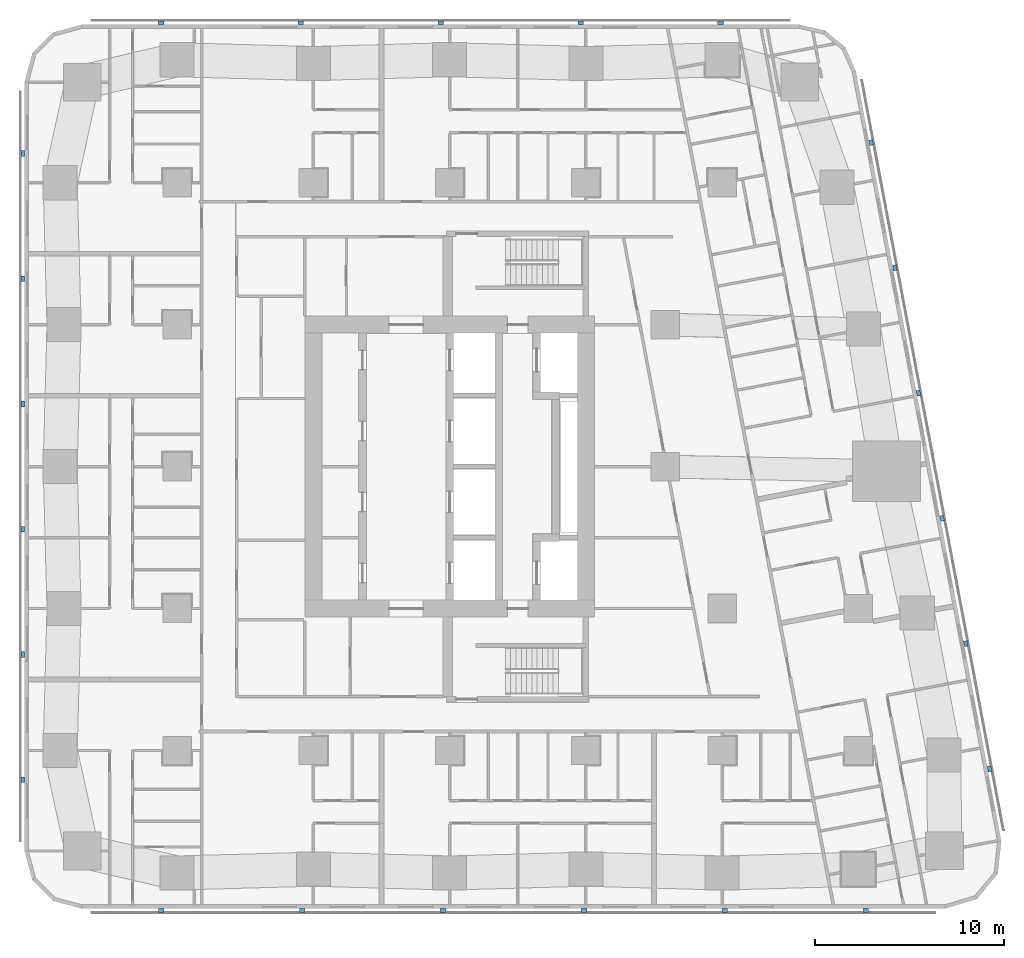
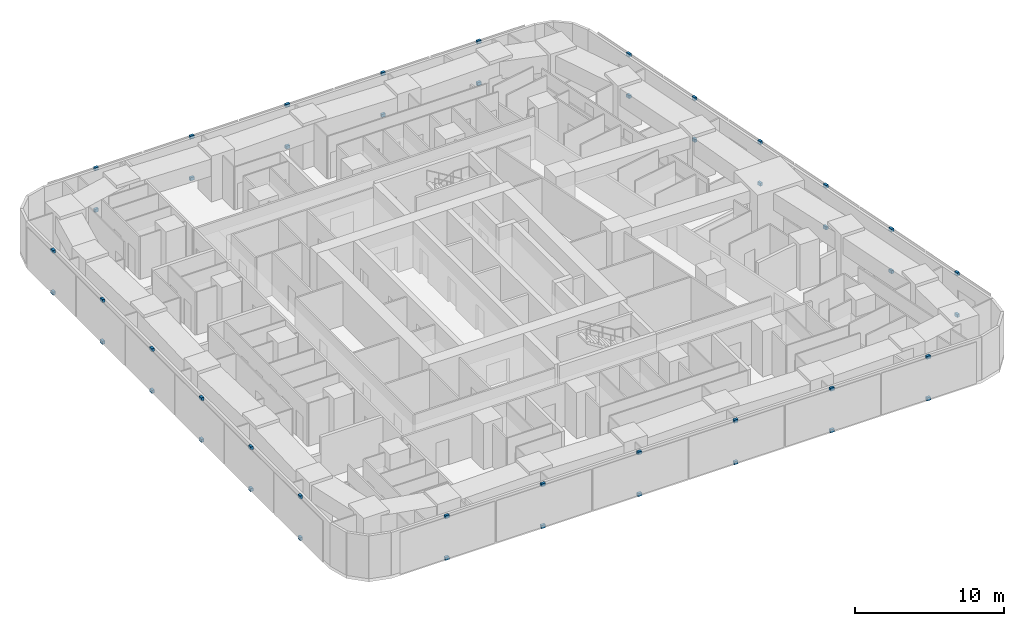
# One storey, part 12 of 15: 46 discrete accessories.
"""IFC4 building model written with IfcOpenShell, lengths in metres."""

from ifc_helpers import new_model, si_unit, direction, frame, origin, origin_2d, place, context, subcontext, project, spatial, rectangle, extrude, material, type_object, element, save


model = new_model("IFC4")

# Units and contexts
model_context = context("Model", 3, precision=1e-05, world=origin(), true_north=direction((0.0, 1.0)))
body_context = subcontext(model_context, "Body", "Model", "MODEL_VIEW")
ifc_project = project(units=[si_unit("LENGTHUNIT", "METRE"), si_unit("AREAUNIT", "SQUARE_METRE"), si_unit("VOLUMEUNIT", "CUBIC_METRE"), si_unit("PLANEANGLEUNIT", "RADIAN"), si_unit("MASSUNIT", "GRAM", prefix="KILO")], contexts=[model_context])

# Site, building, storey
site_placement = place(None, origin())
site = spatial("IfcSite", under=ifc_project, at=site_placement, CompositionType="ELEMENT")
building_placement = place(site_placement, origin())
building = spatial("IfcBuilding", under=site, at=building_placement, Name="Sheger Commons Tower", CompositionType="ELEMENT")
storey_placement = place(building_placement, frame((0.0, 0.0, 139.550048828125)))
storey = spatial("IfcBuildingStorey", under=building, at=storey_placement, Name="L35", CompositionType="ELEMENT", Elevation=139.550048828125)

# Discrete accessories
ifc_material = material(Name="Black painted steel bracket", Category="steel")
discrete_accessory_type = type_object("IfcDiscreteAccessoryType", Name="SCREEN BRACKET 300x200x250", PredefinedType="BRACKET", material=ifc_material)
for number, where, z_axis, x_axis, name in (
    (1, (6.37109375, -0.949951171875, -0.10009765625), (0.0, 0.0, 1.0), (1.0, 0.0, 0.0), "Solar screen foot bracket"),
    (2, (6.37109375, -0.949951171875, 3.300048828125), (0.0, 0.0, 1.0), (1.0, 0.0, 0.0), "Solar screen head bracket"),
    (3, (13.81396484375, -0.949951171875, -0.10009765625), (0.0, 0.0, 1.0), (1.0, 0.0, 0.0), "Solar screen foot bracket"),
    (4, (13.81396484375, -0.949951171875, 3.300048828125), (0.0, 0.0, 1.0), (1.0, 0.0, 0.0), "Solar screen head bracket"),
    (5, (21.257080078125, -0.949951171875, -0.10009765625), (0.0, 0.0, 1.0), (1.0, 0.0, 0.0), "Solar screen foot bracket"),
    (6, (21.257080078125, -0.949951171875, 3.300048828125), (0.0, 0.0, 1.0), (1.0, 0.0, 0.0), "Solar screen head bracket"),
    (7, (28.698974609375, -0.949951171875, -0.10009765625), (0.0, 0.0, 1.0), (1.0, 0.0, 0.0), "Solar screen foot bracket"),
    (8, (28.698974609375, -0.949951171875, 3.300048828125), (0.0, 0.0, 1.0), (1.0, 0.0, 0.0), "Solar screen head bracket"),
    (9, (36.14208984375, -0.949951171875, -0.10009765625), (0.0, 0.0, 1.0), (1.0, 0.0, 0.0), "Solar screen foot bracket"),
    (10, (36.14208984375, -0.949951171875, 3.300048828125), (0.0, 0.0, 1.0), (1.0, 0.0, 0.0), "Solar screen head bracket"),
    (11, (43.5849609375, -0.949951171875, -0.10009765625), (0.0, 0.0, 1.0), (1.0, 0.0, 0.0), "Solar screen foot bracket"),
    (12, (43.5849609375, -0.949951171875, 3.300048828125), (0.0, 0.0, 1.0), (1.0, 0.0, 0.0), "Solar screen head bracket"),
    (13, (50.134033203125, 6.527099609375, -0.10009765625), (0.0, 0.0, 1.0), (-0.185615165645, 0.982622516678, 0.0), "Solar screen foot bracket"),
    (14, (50.134033203125, 6.527099609375, 3.300048828125), (0.0, 0.0, 1.0), (-0.185615165645, 0.982622516678, 0.0), "Solar screen head bracket"),
    (15, (48.884033203125, 13.14599609375, -0.10009765625), (0.0, 0.0, 1.0), (-0.185615165645, 0.982622516678, 0.0), "Solar screen foot bracket"),
    (16, (48.884033203125, 13.14599609375, 3.300048828125), (0.0, 0.0, 1.0), (-0.185615165645, 0.982622516678, 0.0), "Solar screen head bracket"),
    (17, (47.633056640625, 19.76611328125, -0.10009765625), (0.0, 0.0, 1.0), (-0.185615165645, 0.982622516678, 0.0), "Solar screen foot bracket"),
    (18, (47.633056640625, 19.76611328125, 3.300048828125), (0.0, 0.0, 1.0), (-0.185615165645, 0.982622516678, 0.0), "Solar screen head bracket"),
    (19, (46.383056640625, 26.385009765625, -0.10009765625), (0.0, 0.0, 1.0), (-0.185615165645, 0.982622516678, 0.0), "Solar screen foot bracket"),
    (20, (46.383056640625, 26.385009765625, 3.300048828125), (0.0, 0.0, 1.0), (-0.185615165645, 0.982622516678, 0.0), "Solar screen head bracket"),
    (21, (45.133056640625, 33.0048828125, -0.10009765625), (0.0, 0.0, 1.0), (-0.185615165645, 0.982622516678, 0.0), "Solar screen foot bracket"),
    (22, (45.133056640625, 33.0048828125, 3.300048828125), (0.0, 0.0, 1.0), (-0.185615165645, 0.982622516678, 0.0), "Solar screen head bracket"),
    (23, (43.882080078125, 39.6240234375, -0.10009765625), (0.0, 0.0, 1.0), (-0.185615165645, 0.982622516678, 0.0), "Solar screen foot bracket"),
    (24, (43.882080078125, 39.6240234375, 3.300048828125), (0.0, 0.0, 1.0), (-0.185615165645, 0.982622516678, 0.0), "Solar screen head bracket"),
    (25, (35.9208984375, 45.949951171875, -0.10009765625), (0.0, 0.0, 1.0), (-1.0, 0.0, 0.0), "Solar screen foot bracket"),
    (26, (35.9208984375, 45.949951171875, 3.300048828125), (0.0, 0.0, 1.0), (-1.0, 0.0, 0.0), "Solar screen head bracket"),
    (27, (28.528076171875, 45.949951171875, -0.10009765625), (0.0, 0.0, 1.0), (-1.0, 0.0, 0.0), "Solar screen foot bracket"),
    (28, (28.528076171875, 45.949951171875, 3.300048828125), (0.0, 0.0, 1.0), (-1.0, 0.0, 0.0), "Solar screen head bracket"),
    (29, (21.134033203125, 45.949951171875, -0.10009765625), (0.0, 0.0, 1.0), (-1.0, 0.0, 0.0), "Solar screen foot bracket"),
    (30, (21.134033203125, 45.949951171875, 3.300048828125), (0.0, 0.0, 1.0), (-1.0, 0.0, 0.0), "Solar screen head bracket"),
    (31, (13.739990234375, 45.949951171875, -0.10009765625), (0.0, 0.0, 1.0), (-1.0, 0.0, 0.0), "Solar screen foot bracket"),
    (32, (13.739990234375, 45.949951171875, 3.300048828125), (0.0, 0.0, 1.0), (-1.0, 0.0, 0.0), "Solar screen head bracket"),
    (33, (6.346923828125, 45.949951171875, -0.10009765625), (0.0, 0.0, 1.0), (-1.0, 0.0, 0.0), "Solar screen foot bracket"),
    (34, (6.346923828125, 45.949951171875, 3.300048828125), (0.0, 0.0, 1.0), (-1.0, 0.0, 0.0), "Solar screen head bracket"),
    (35, (-0.949951171875, 39.0419921875, -0.10009765625), (0.0, 0.0, 1.0), (0.0, -1.0, 0.0), "Solar screen foot bracket"),
    (36, (-0.949951171875, 39.0419921875, 3.300048828125), (0.0, 0.0, 1.0), (0.0, -1.0, 0.0), "Solar screen head bracket"),
    (37, (-0.949951171875, 32.425048828125, -0.10009765625), (0.0, 0.0, 1.0), (0.0, -1.0, 0.0), "Solar screen foot bracket"),
    (38, (-0.949951171875, 32.425048828125, 3.300048828125), (0.0, 0.0, 1.0), (0.0, -1.0, 0.0), "Solar screen head bracket"),
    (39, (-0.949951171875, 25.80810546875, -0.10009765625), (0.0, 0.0, 1.0), (0.0, -1.0, 0.0), "Solar screen foot bracket"),
    (40, (-0.949951171875, 25.80810546875, 3.300048828125), (0.0, 0.0, 1.0), (0.0, -1.0, 0.0), "Solar screen head bracket"),
    (41, (-0.949951171875, 19.19189453125, -0.10009765625), (0.0, 0.0, 1.0), (0.0, -1.0, 0.0), "Solar screen foot bracket"),
    (42, (-0.949951171875, 19.19189453125, 3.300048828125), (0.0, 0.0, 1.0), (0.0, -1.0, 0.0), "Solar screen head bracket"),
    (43, (-0.949951171875, 12.574951171875, -0.10009765625), (0.0, 0.0, 1.0), (0.0, -1.0, 0.0), "Solar screen foot bracket"),
    (44, (-0.949951171875, 12.574951171875, 3.300048828125), (0.0, 0.0, 1.0), (0.0, -1.0, 0.0), "Solar screen head bracket"),
    (45, (-0.949951171875, 5.9580078125, -0.10009765625), (0.0, 0.0, 1.0), (0.0, -1.0, 0.0), "Solar screen foot bracket"),
    (46, (-0.949951171875, 5.9580078125, 3.300048828125), (0.0, 0.0, 1.0), (0.0, -1.0, 0.0), "Solar screen head bracket"),
):
    element("IfcDiscreteAccessory", number, at=place(storey_placement, frame(where, z_axis=z_axis, x_axis=x_axis)), inside=storey, type_object=discrete_accessory_type, Name=name, PredefinedType="BRACKET", context=body_context, shape_type="SweptSolid", body=[
        extrude(rectangle(XDim=0.300048828125, YDim=0.199951171875, at=origin_2d()), origin(), (0.0, 0.0, 1.0), 0.25),
    ])

save(model, "model.ifc")
